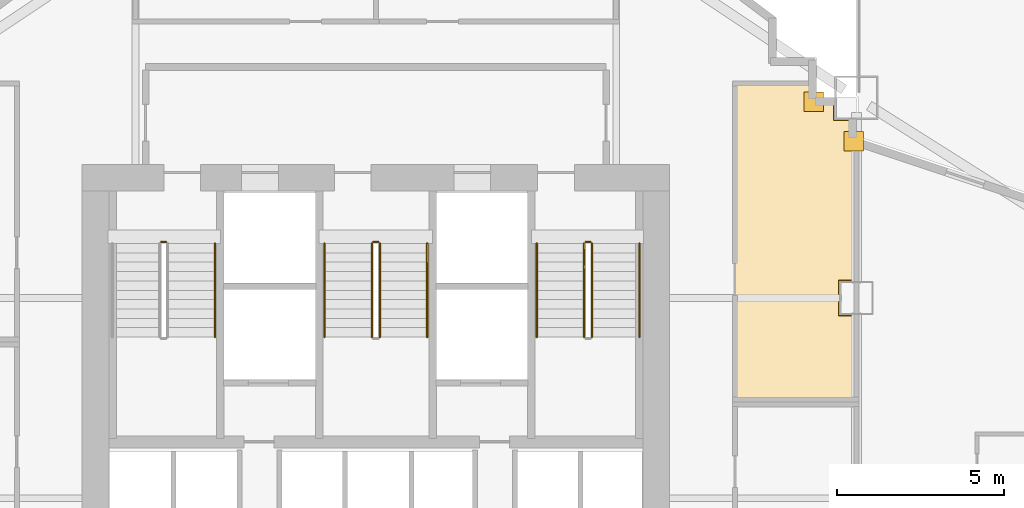
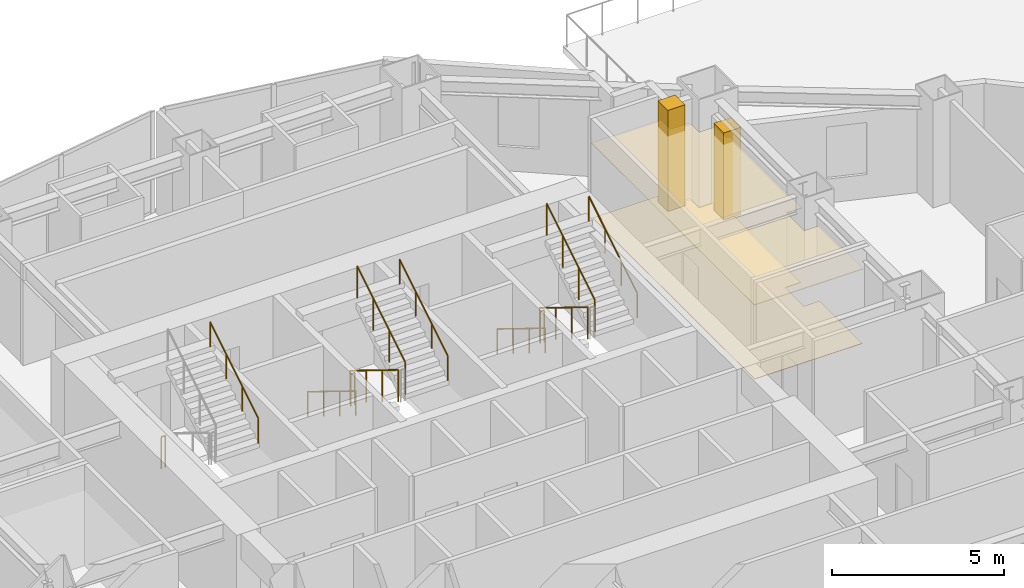
# One storey, part 19 of 20: 12 railings, 4 coverings.
"""IFC4 building model written with IfcOpenShell, lengths in metres."""

from ifc_helpers import new_model, si_unit, direction, frame, origin, origin_2d, place, context, subcontext, project, spatial, polyline, rectangle, circle, outline, extrude, material, layer, layer_set, type_object, element, save


model = new_model("IFC4")

# Units and contexts
model_context = context("Model", 3, precision=1e-05, world=origin(), true_north=direction((0.0, 1.0)))
body_context = subcontext(model_context, "Body", "Model", "MODEL_VIEW")
ifc_project = project(units=[si_unit("LENGTHUNIT", "METRE"), si_unit("AREAUNIT", "SQUARE_METRE"), si_unit("VOLUMEUNIT", "CUBIC_METRE"), si_unit("PLANEANGLEUNIT", "RADIAN"), si_unit("MASSUNIT", "GRAM", prefix="KILO")], contexts=[model_context])

# Site, building, storey
site_placement = place(None, origin())
site = spatial("IfcSite", under=ifc_project, at=site_placement, CompositionType="ELEMENT")
building_placement = place(site_placement, origin())
building = spatial("IfcBuilding", under=site, at=building_placement, Name="Haolan Belvedere Tower", CompositionType="ELEMENT")
storey_placement = place(building_placement, frame((0.0, 0.0, 24.0)))
storey = spatial("IfcBuildingStorey", under=building, at=storey_placement, Name="L05", CompositionType="ELEMENT", Elevation=24.0)

# Coverings
ifc_material_1 = material(Name="Acoustic mineral-fibre suspended ceiling system", Category="masonry")
ifc_layer_1 = layer(ifc_material_1, 0.02490234375, Name="Acoustic mineral-fibre suspended ceiling system")
ifc_layer_set_1 = layer_set([ifc_layer_1], Name="Acoustic mineral-fibre suspended ceiling system")
covering_type_1 = type_object("IfcCoveringType", Name="COV-CEIL-AC25", PredefinedType="CEILING", material=ifc_layer_set_1)
covering_1_placement = place(storey_placement, frame((0.0, 0.0, 2.64990234375)))
element("IfcCovering", 1, at=covering_1_placement, inside=storey, type_object=covering_type_1, Name="L05 suspended acoustic ceiling L05-SAL.3", PredefinedType="CEILING", context=body_context, shape_type="SweptSolid", body=[
    extrude(outline(polyline([(51.48193359375, 46.031982421875), (49.14794921875, 46.031982421875), (49.14794921875, 36.548095703125), (52.81201171875, 36.548095703125), (52.81201171875, 39.0849609375), (52.284912109375, 39.0849609375), (52.284912109375, 40.114990234375), (52.81201171875, 40.114990234375), (52.81201171875, 44.271728515625), (52.681884765625, 44.31494140625), (52.681884765625, 44.93505859375), (52.135009765625, 44.93505859375), (52.135009765625, 45.48193359375), (51.48193359375, 45.48193359375), (51.48193359375, 46.031982421875)])), origin(), (0.0, 0.0, 1.0), 0.025146484375),
])
ifc_material_2 = material(Name="Pale champagne-silver anodised aluminium rainscreen cladding", Category="aluminium")
ifc_layer_2 = layer(ifc_material_2, 0.034912109375, Name="Pale champagne-silver anodised aluminium rainscreen cladding")
ifc_layer_set_2 = layer_set([ifc_layer_2], Name="Pale champagne-silver anodised aluminium rainscreen cladding")
covering_type_2 = type_object("IfcCoveringType", Name="COV-CLAD-35", PredefinedType="CLADDING", material=ifc_layer_set_2)
covering_2_placement = place(storey_placement, frame((52.72021484375, 44.300048828125, 0.0), z_axis=(0.0, 0.0, 1.0), x_axis=(1.0, 0.0, 0.0)))
element("IfcCovering", 2, at=covering_2_placement, inside=storey, type_object=covering_type_2, Name="L05 pale-metal serrated corner cladding trim 9", PredefinedType="CLADDING", context=body_context, shape_type="SweptSolid", body=[
    extrude(rectangle(XDim=0.580078125, YDim=0.580078125, at=origin_2d()), origin(), (0.0, 0.0, 1.0), 3.096923828125),
])
covering_3_placement = place(storey_placement, frame((51.5224609375, 45.47998046875, 0.0), z_axis=(0.0, 0.0, 1.0), x_axis=(1.0, 0.0, 0.0)))
element("IfcCovering", 3, at=covering_3_placement, inside=storey, type_object=covering_type_2, Name="L05 pale-metal serrated corner cladding trim 10", PredefinedType="CLADDING", context=body_context, shape_type="SweptSolid", body=[
    extrude(rectangle(XDim=0.580078125, YDim=0.580078125, at=origin_2d()), origin(), (0.0, 0.0, 1.0), 3.60009765625),
])
ifc_material_3 = material(Name="Honed terrazzo and natural granite stone flooring", Category="masonry")
ifc_layer_3 = layer(ifc_material_3, 0.014892578125, Name="Honed terrazzo and natural granite stone flooring")
ifc_layer_set_3 = layer_set([ifc_layer_3], Name="Honed terrazzo and natural granite stone flooring")
covering_type_3 = type_object("IfcCoveringType", Name="COV-FLR-STN30", PredefinedType="FLOORING", material=ifc_layer_set_3)
covering_4_placement = place(storey_placement, origin())
element("IfcCovering", 4, at=covering_4_placement, inside=storey, type_object=covering_type_3, Name="L05 polished stone floor finish L05-SAL.3", PredefinedType="FLOORING", context=body_context, shape_type="SweptSolid", body=[
    extrude(outline(polyline([(49.173095703125, 46.007080078125), (49.173095703125, 36.572998046875), (52.787109375, 36.572998046875), (52.787109375, 39.06005859375), (52.260009765625, 39.06005859375), (52.260009765625, 40.139892578125), (52.787109375, 40.139892578125), (52.787109375, 44.253662109375), (52.656982421875, 44.297119140625), (52.656982421875, 44.909912109375), (52.110107421875, 44.909912109375), (52.110107421875, 45.45703125), (51.45703125, 45.45703125), (51.45703125, 46.007080078125), (49.173095703125, 46.007080078125)])), origin(), (0.0, 0.0, 1.0), 0.014892578125),
])

# Railings
ifc_material_4 = material(Name="Brushed stainless steel 304", Category="steel")
railing_type_1 = type_object("IfcRailingType", Name="RL-STAIR-GRD-1150", PredefinedType="GUARDRAIL", material=ifc_material_4)
railing_1_placement = place(storey_placement, frame((31.969970703125, 41.280029296875, 0.0)))
element("IfcRailing", 5, at=railing_1_placement, inside=storey, type_object=railing_type_1, Name="L05 ST1 stair guard 4", PredefinedType="GUARDRAIL", context=body_context, shape_type="SweptSolid", body=[
    extrude(circle(Radius=0.02392578125, at=origin_2d()), frame((0.0, 0.0, 1.1259765625), z_axis=(1.0, 0.0, 0.0), x_axis=(0.0, 1.0, 0.0)), (0.0, 0.0, 1.0), 0.14013671875),
    extrude(circle(Radius=0.02099609375, at=origin_2d()), origin(), (0.0, 0.0, 1.0), 1.101806640625),
    extrude(circle(Radius=0.02099609375, at=origin_2d()), frame((0.14013671875, 0.0, 0.0)), (0.0, 0.0, 1.0), 1.101806640625),
])
railing_2_placement = place(storey_placement, frame((38.280029296875, 41.22998046875, 0.172607421875)))
element("IfcRailing", 6, at=railing_2_placement, inside=storey, type_object=railing_type_1, Name="L05 ST3 stair guard 1", PredefinedType="GUARDRAIL", context=body_context, shape_type="SweptSolid", body=[
    extrude(circle(Radius=0.02392578125, at=origin_2d()), frame((0.0, 0.0, 1.1259765625), z_axis=(0.0, -0.851089632645, 0.525020415988), x_axis=(1.0, 0.0, 0.0)), (0.0, 0.0, 1.0), 3.2900390625),
    extrude(circle(Radius=0.02099609375, at=origin_2d()), origin(), (0.0, 0.0, 1.0), 1.101806640625),
    extrude(circle(Radius=0.02099609375, at=origin_2d()), frame((0.0, -0.933349609375, 0.57568359375)), (0.0, 0.0, 1.0), 1.101806640625),
    extrude(circle(Radius=0.02099609375, at=origin_2d()), frame((0.0, -1.86669921875, 1.151611328125)), (0.0, 0.0, 1.0), 1.101806640625),
    extrude(circle(Radius=0.02099609375, at=origin_2d()), frame((0.0, -2.800048828125, 1.727294921875)), (0.0, 0.0, 1.0), 1.101806640625),
])
railing_3_placement = place(storey_placement, frame((38.52001953125, 38.429931640625, 2.07275390625)))
element("IfcRailing", 7, at=railing_3_placement, inside=storey, type_object=railing_type_1, Name="L05 ST3 stair guard 3", PredefinedType="GUARDRAIL", context=body_context, shape_type="SweptSolid", body=[
    extrude(circle(Radius=0.02392578125, at=origin_2d()), frame((0.0, 0.0, 1.1259765625), z_axis=(0.0, 0.851089632645, 0.525020415988), x_axis=(-1.0, 0.0, 0.0)), (0.0, 0.0, 1.0), 3.2900390625),
    extrude(circle(Radius=0.02099609375, at=origin_2d()), origin(), (0.0, 0.0, 1.0), 1.101806640625),
    extrude(circle(Radius=0.02099609375, at=origin_2d()), frame((0.0, 0.933349609375, 0.57568359375)), (0.0, 0.0, 1.0), 1.101806640625),
    extrude(circle(Radius=0.02099609375, at=origin_2d()), frame((0.0, 1.86669921875, 1.151611328125)), (0.0, 0.0, 1.0), 1.101806640625),
    extrude(circle(Radius=0.02099609375, at=origin_2d()), frame((0.0, 2.800048828125, 1.727294921875)), (0.0, 0.0, 1.0), 1.101806640625),
])
railing_4_placement = place(storey_placement, frame((38.330078125, 41.280029296875, 0.0)))
element("IfcRailing", 8, at=railing_4_placement, inside=storey, type_object=railing_type_1, Name="L05 ST3 stair guard 4", PredefinedType="GUARDRAIL", context=body_context, shape_type="SweptSolid", body=[
    extrude(circle(Radius=0.02392578125, at=origin_2d()), frame((0.0, 0.0, 1.1259765625), z_axis=(1.0, 0.0, 0.0), x_axis=(0.0, 1.0, 0.0)), (0.0, 0.0, 1.0), 0.139892578125),
    extrude(circle(Radius=0.02099609375, at=origin_2d()), origin(), (0.0, 0.0, 1.0), 1.101806640625),
    extrude(circle(Radius=0.02099609375, at=origin_2d()), frame((0.139892578125, 0.0, 0.0)), (0.0, 0.0, 1.0), 1.101806640625),
])
railing_5_placement = place(storey_placement, frame((44.639892578125, 41.22998046875, 0.172607421875)))
element("IfcRailing", 9, at=railing_5_placement, inside=storey, type_object=railing_type_1, Name="L05 ST2 stair guard 1", PredefinedType="GUARDRAIL", context=body_context, shape_type="SweptSolid", body=[
    extrude(circle(Radius=0.02392578125, at=origin_2d()), frame((0.0, 0.0, 1.1259765625), z_axis=(0.0, -0.851089632645, 0.525020415988), x_axis=(1.0, 0.0, 0.0)), (0.0, 0.0, 1.0), 3.2900390625),
    extrude(circle(Radius=0.02099609375, at=origin_2d()), origin(), (0.0, 0.0, 1.0), 1.101806640625),
    extrude(circle(Radius=0.02099609375, at=origin_2d()), frame((0.0, -0.933349609375, 0.57568359375)), (0.0, 0.0, 1.0), 1.101806640625),
    extrude(circle(Radius=0.02099609375, at=origin_2d()), frame((0.0, -1.86669921875, 1.151611328125)), (0.0, 0.0, 1.0), 1.101806640625),
    extrude(circle(Radius=0.02099609375, at=origin_2d()), frame((0.0, -2.800048828125, 1.727294921875)), (0.0, 0.0, 1.0), 1.101806640625),
])
railing_6_placement = place(storey_placement, frame((44.8798828125, 38.429931640625, 2.07275390625)))
element("IfcRailing", 10, at=railing_6_placement, inside=storey, type_object=railing_type_1, Name="L05 ST2 stair guard 3", PredefinedType="GUARDRAIL", context=body_context, shape_type="SweptSolid", body=[
    extrude(circle(Radius=0.02392578125, at=origin_2d()), frame((0.0, 0.0, 1.1259765625), z_axis=(0.0, 0.851089632645, 0.525020415988), x_axis=(-1.0, 0.0, 0.0)), (0.0, 0.0, 1.0), 3.2900390625),
    extrude(circle(Radius=0.02099609375, at=origin_2d()), origin(), (0.0, 0.0, 1.0), 1.101806640625),
    extrude(circle(Radius=0.02099609375, at=origin_2d()), frame((0.0, 0.933349609375, 0.57568359375)), (0.0, 0.0, 1.0), 1.101806640625),
    extrude(circle(Radius=0.02099609375, at=origin_2d()), frame((0.0, 1.86669921875, 1.151611328125)), (0.0, 0.0, 1.0), 1.101806640625),
    extrude(circle(Radius=0.02099609375, at=origin_2d()), frame((0.0, 2.800048828125, 1.727294921875)), (0.0, 0.0, 1.0), 1.101806640625),
])
railing_7_placement = place(storey_placement, frame((44.68994140625, 41.280029296875, 0.0)))
element("IfcRailing", 11, at=railing_7_placement, inside=storey, type_object=railing_type_1, Name="L05 ST2 stair guard 4", PredefinedType="GUARDRAIL", context=body_context, shape_type="SweptSolid", body=[
    extrude(circle(Radius=0.02392578125, at=origin_2d()), frame((0.0, 0.0, 1.1259765625), z_axis=(1.0, 0.0, 0.0), x_axis=(0.0, 1.0, 0.0)), (0.0, 0.0, 1.0), 0.14013671875),
    extrude(circle(Radius=0.02099609375, at=origin_2d()), origin(), (0.0, 0.0, 1.0), 1.101806640625),
    extrude(circle(Radius=0.02099609375, at=origin_2d()), frame((0.14013671875, 0.0, 0.0)), (0.0, 0.0, 1.0), 1.101806640625),
])
railing_type_2 = type_object("IfcRailingType", Name="RL-STAIR-HND-900", PredefinedType="HANDRAIL", material=ifc_material_4)
railing_8_placement = place(storey_placement, frame((33.580078125, 38.429931640625, 2.07275390625)))
element("IfcRailing", 12, at=railing_8_placement, inside=storey, type_object=railing_type_2, Name="L05 ST1 stair handrail 2", PredefinedType="HANDRAIL", context=body_context, shape_type="SweptSolid", body=[
    extrude(circle(Radius=0.02392578125, at=origin_2d()), frame((0.0, 0.0, 0.8759765625), z_axis=(0.0, 0.851089632645, 0.525020415988), x_axis=(-1.0, 0.0, 0.0)), (0.0, 0.0, 1.0), 3.2900390625),
    extrude(circle(Radius=0.02099609375, at=origin_2d()), origin(), (0.0, 0.0, 1.0), 0.851806640625),
    extrude(circle(Radius=0.02099609375, at=origin_2d()), frame((0.0, 0.933349609375, 0.57568359375)), (0.0, 0.0, 1.0), 0.851806640625),
    extrude(circle(Radius=0.02099609375, at=origin_2d()), frame((0.0, 1.86669921875, 1.151611328125)), (0.0, 0.0, 1.0), 0.851806640625),
    extrude(circle(Radius=0.02099609375, at=origin_2d()), frame((0.0, 2.800048828125, 1.727294921875)), (0.0, 0.0, 1.0), 0.851806640625),
])
railing_9_placement = place(storey_placement, frame((36.860107421875, 41.22998046875, 0.172607421875)))
element("IfcRailing", 13, at=railing_9_placement, inside=storey, type_object=railing_type_2, Name="L05 ST3 stair handrail 1", PredefinedType="HANDRAIL", context=body_context, shape_type="SweptSolid", body=[
    extrude(circle(Radius=0.02392578125, at=origin_2d()), frame((0.0, 0.0, 0.8759765625), z_axis=(0.0, -0.851089632645, 0.525020415988), x_axis=(1.0, 0.0, 0.0)), (0.0, 0.0, 1.0), 3.2900390625),
    extrude(circle(Radius=0.02099609375, at=origin_2d()), origin(), (0.0, 0.0, 1.0), 0.851806640625),
    extrude(circle(Radius=0.02099609375, at=origin_2d()), frame((0.0, -0.933349609375, 0.57568359375)), (0.0, 0.0, 1.0), 0.851806640625),
    extrude(circle(Radius=0.02099609375, at=origin_2d()), frame((0.0, -1.86669921875, 1.151611328125)), (0.0, 0.0, 1.0), 0.851806640625),
    extrude(circle(Radius=0.02099609375, at=origin_2d()), frame((0.0, -2.800048828125, 1.727294921875)), (0.0, 0.0, 1.0), 0.851806640625),
])
railing_10_placement = place(storey_placement, frame((39.93994140625, 38.429931640625, 2.07275390625)))
element("IfcRailing", 14, at=railing_10_placement, inside=storey, type_object=railing_type_2, Name="L05 ST3 stair handrail 2", PredefinedType="HANDRAIL", context=body_context, shape_type="SweptSolid", body=[
    extrude(circle(Radius=0.02392578125, at=origin_2d()), frame((0.0, 0.0, 0.8759765625), z_axis=(0.0, 0.851089632645, 0.525020415988), x_axis=(-1.0, 0.0, 0.0)), (0.0, 0.0, 1.0), 3.2900390625),
    extrude(circle(Radius=0.02099609375, at=origin_2d()), origin(), (0.0, 0.0, 1.0), 0.851806640625),
    extrude(circle(Radius=0.02099609375, at=origin_2d()), frame((0.0, 0.933349609375, 0.57568359375)), (0.0, 0.0, 1.0), 0.851806640625),
    extrude(circle(Radius=0.02099609375, at=origin_2d()), frame((0.0, 1.86669921875, 1.151611328125)), (0.0, 0.0, 1.0), 0.851806640625),
    extrude(circle(Radius=0.02099609375, at=origin_2d()), frame((0.0, 2.800048828125, 1.727294921875)), (0.0, 0.0, 1.0), 0.851806640625),
])
railing_11_placement = place(storey_placement, frame((43.219970703125, 41.22998046875, 0.172607421875)))
element("IfcRailing", 15, at=railing_11_placement, inside=storey, type_object=railing_type_2, Name="L05 ST2 stair handrail 1", PredefinedType="HANDRAIL", context=body_context, shape_type="SweptSolid", body=[
    extrude(circle(Radius=0.02392578125, at=origin_2d()), frame((0.0, 0.0, 0.8759765625), z_axis=(0.0, -0.851089632645, 0.525020415988), x_axis=(1.0, 0.0, 0.0)), (0.0, 0.0, 1.0), 3.2900390625),
    extrude(circle(Radius=0.02099609375, at=origin_2d()), origin(), (0.0, 0.0, 1.0), 0.851806640625),
    extrude(circle(Radius=0.02099609375, at=origin_2d()), frame((0.0, -0.933349609375, 0.57568359375)), (0.0, 0.0, 1.0), 0.851806640625),
    extrude(circle(Radius=0.02099609375, at=origin_2d()), frame((0.0, -1.86669921875, 1.151611328125)), (0.0, 0.0, 1.0), 0.851806640625),
    extrude(circle(Radius=0.02099609375, at=origin_2d()), frame((0.0, -2.800048828125, 1.727294921875)), (0.0, 0.0, 1.0), 0.851806640625),
])
railing_12_placement = place(storey_placement, frame((46.300048828125, 38.429931640625, 2.07275390625)))
element("IfcRailing", 16, at=railing_12_placement, inside=storey, type_object=railing_type_2, Name="L05 ST2 stair handrail 2", PredefinedType="HANDRAIL", context=body_context, shape_type="SweptSolid", body=[
    extrude(circle(Radius=0.02392578125, at=origin_2d()), frame((0.0, 0.0, 0.8759765625), z_axis=(0.0, 0.851089632645, 0.525020415988), x_axis=(-1.0, 0.0, 0.0)), (0.0, 0.0, 1.0), 3.2900390625),
    extrude(circle(Radius=0.02099609375, at=origin_2d()), origin(), (0.0, 0.0, 1.0), 0.851806640625),
    extrude(circle(Radius=0.02099609375, at=origin_2d()), frame((0.0, 0.933349609375, 0.57568359375)), (0.0, 0.0, 1.0), 0.851806640625),
    extrude(circle(Radius=0.02099609375, at=origin_2d()), frame((0.0, 1.86669921875, 1.151611328125)), (0.0, 0.0, 1.0), 0.851806640625),
    extrude(circle(Radius=0.02099609375, at=origin_2d()), frame((0.0, 2.800048828125, 1.727294921875)), (0.0, 0.0, 1.0), 0.851806640625),
])

save(model, "model.ifc")
